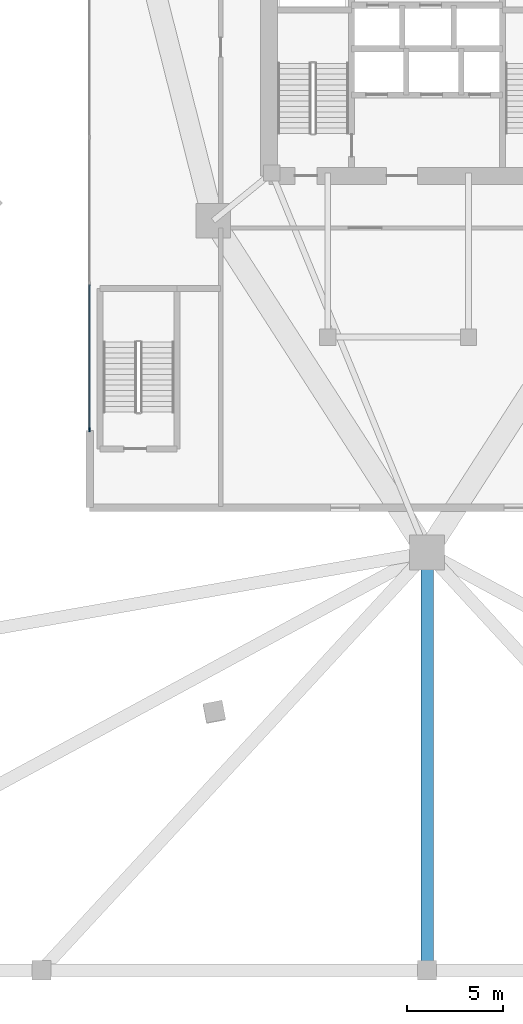
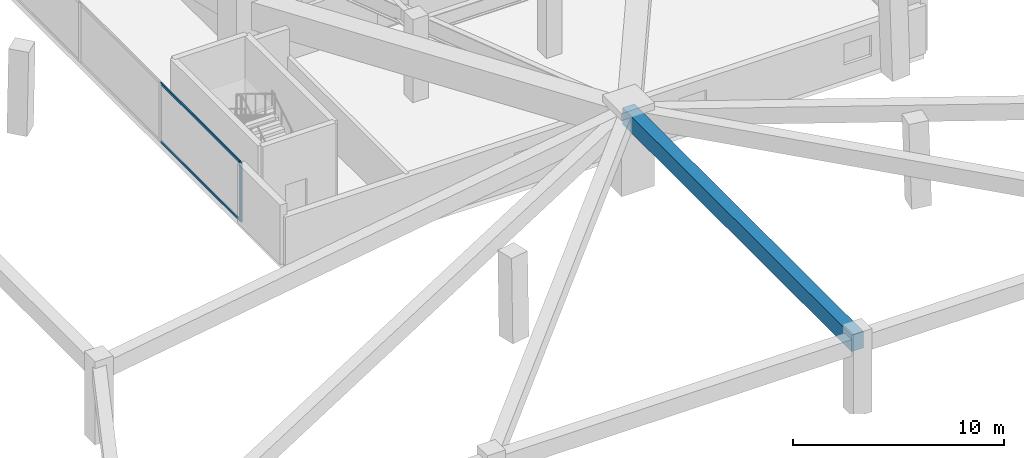
# One storey, part 2 of 15: 3 members, 1 beam, 1 element without a shape of its own.
"""IFC4 building model written with IfcOpenShell, lengths in metres."""

from ifc_helpers import new_model, si_unit, direction, frame, origin, origin_2d, place, context, subcontext, project, spatial, rectangle, extrude, material, layer, layer_set, material_profile, profile_set, type_object, element, aggregate, save


model = new_model("IFC4")

# Units and contexts
model_context = context("Model", 3, precision=1e-05, world=origin(), true_north=direction((0.0, 1.0)))
body_context = subcontext(model_context, "Body", "Model", "MODEL_VIEW")
ifc_project = project(units=[si_unit("LENGTHUNIT", "METRE"), si_unit("AREAUNIT", "SQUARE_METRE"), si_unit("VOLUMEUNIT", "CUBIC_METRE"), si_unit("PLANEANGLEUNIT", "RADIAN"), si_unit("MASSUNIT", "GRAM", prefix="KILO")], contexts=[model_context])

# Site, building, storey
site_placement = place(None, origin())
site = spatial("IfcSite", under=ifc_project, at=site_placement, CompositionType="ELEMENT")
building_placement = place(site_placement, origin())
building = spatial("IfcBuilding", under=site, at=building_placement, Name="Talyreon Biosciences Tower", CompositionType="ELEMENT")
storey_placement = place(building_placement, frame((0.0, 0.0, 5.39990234375)))
storey = spatial("IfcBuildingStorey", under=building, at=storey_placement, Name="L01", CompositionType="ELEMENT", Elevation=5.39990234375)

# Curtain wall, members
ifc_material_1 = material(Name="Thermally broken aluminium and low-E glazing", Category="aluminium")
ifc_layer = layer(ifc_material_1, 0.219970703125)
ifc_layer_set = layer_set([ifc_layer], Name="Thermally broken aluminium and low-E glazing")
curtain_wall_type = type_object("IfcCurtainWallType", Name="CurtainWall_PodiumDoubleHeight", PredefinedType="NOTDEFINED", material=ifc_layer_set)
curtain_wall_placement = place(storey_placement, origin())
curtain_wall = element("IfcCurtainWall", 1, at=curtain_wall_placement, inside=storey, type_object=curtain_wall_type, Name="L01 Unitised Curtain Wall FCW-L01-W", PredefinedType="NOTDEFINED")
ifc_material_2 = material(Name="Anodised thermally broken aluminium", Category="aluminium")
ifc_material_profile_1 = material_profile(ifc_material_2, rectangle(XDim=0.074951171875, YDim=0.2099609375, at=origin_2d()), Name="ALUM MULLION 75x210")
ifc_profile_set_1 = profile_set([ifc_material_profile_1], Name="Anodised thermally broken aluminium")
member_type_1 = type_object("IfcMemberType", Name="CWMullion_75x210", PredefinedType="MULLION", material=ifc_profile_set_1)
member_1_placement = place(storey_placement, frame((48.5, 48.03759765625, 0.0), z_axis=(0.0, 0.0, 1.0), x_axis=(-1.0, 0.0, 0.0)))
member_1 = element("IfcMember", 2, at=member_1_placement, type_object=member_type_1, Name="CW1 mullion 1", PredefinedType="MULLION", context=body_context, shape_type="SweptSolid", body=[
    extrude(rectangle(XDim=0.074951171875, YDim=0.2099609375, at=origin_2d()), origin(), (0.0, 0.0, 1.0), 3.43017578125),
])
ifc_material_profile_2 = material_profile(ifc_material_2, rectangle(XDim=0.06494140625, YDim=0.139892578125, at=origin_2d()), Name="ALUM TRANSOM 65x140")
ifc_profile_set_2 = profile_set([ifc_material_profile_2], Name="Anodised thermally broken aluminium")
member_type_2 = type_object("IfcMemberType", Name="CWTransom_65x140", PredefinedType="USERDEFINED", material=ifc_profile_set_2)
member_2_placement = place(storey_placement, frame((48.5, 48.074951171875, 0.03271484375), z_axis=(0.0, 1.0, 0.0), x_axis=(-1.0, 0.0, 0.0)))
member_2 = element("IfcMember", 3, at=member_2_placement, type_object=member_type_2, Name="CW1 transom 1.1", ObjectType="TRANSOM", PredefinedType="USERDEFINED", context=body_context, shape_type="SweptSolid", body=[
    extrude(rectangle(XDim=0.06494140625, YDim=0.139892578125, at=origin_2d()), origin(), (0.0, 0.0, 1.0), 7.487548828125),
])
member_3_placement = place(storey_placement, frame((48.5, 48.074951171875, 3.397705078125), z_axis=(0.0, 1.0, 0.0), x_axis=(-1.0, 0.0, 0.0)))
member_3 = element("IfcMember", 4, at=member_3_placement, type_object=member_type_2, Name="CW1 transom 1.2", ObjectType="TRANSOM", PredefinedType="USERDEFINED", context=body_context, shape_type="SweptSolid", body=[
    extrude(rectangle(XDim=0.06494140625, YDim=0.139892578125, at=origin_2d()), origin(), (0.0, 0.0, 1.0), 7.487548828125),
])
aggregate(curtain_wall, [member_1, member_2, member_3])

# Beam
ifc_material_3 = material(Name="Concrete C50/60", Category="concrete")
ifc_material_profile_3 = material_profile(ifc_material_3, rectangle(XDim=0.64990234375, YDim=0.949951171875, at=origin_2d()), Name="RCB 650x950")
ifc_profile_set_3 = profile_set([ifc_material_profile_3], Name="Concrete C50/60")
beam_type = type_object("IfcBeamType", Name="PodiumGirder_650x950", PredefinedType="T_BEAM", material=ifc_profile_set_3)
beam_placement = place(storey_placement, frame((66.0, 41.6669921875, 3.925048828125), z_axis=(0.0, -1.0, 0.0), x_axis=(1.0, 0.0, 0.0)))
element("IfcBeam", 5, at=beam_placement, inside=storey, type_object=beam_type, Name="L01 Podium Radial Tie Girder PDC03", PredefinedType="T_BEAM", context=body_context, shape_type="SweptSolid", body=[
    extrude(rectangle(XDim=0.64990234375, YDim=0.949951171875, at=origin_2d()), origin(), (0.0, 0.0, 1.0), 21.6669921875),
])

save(model, "model.ifc")
